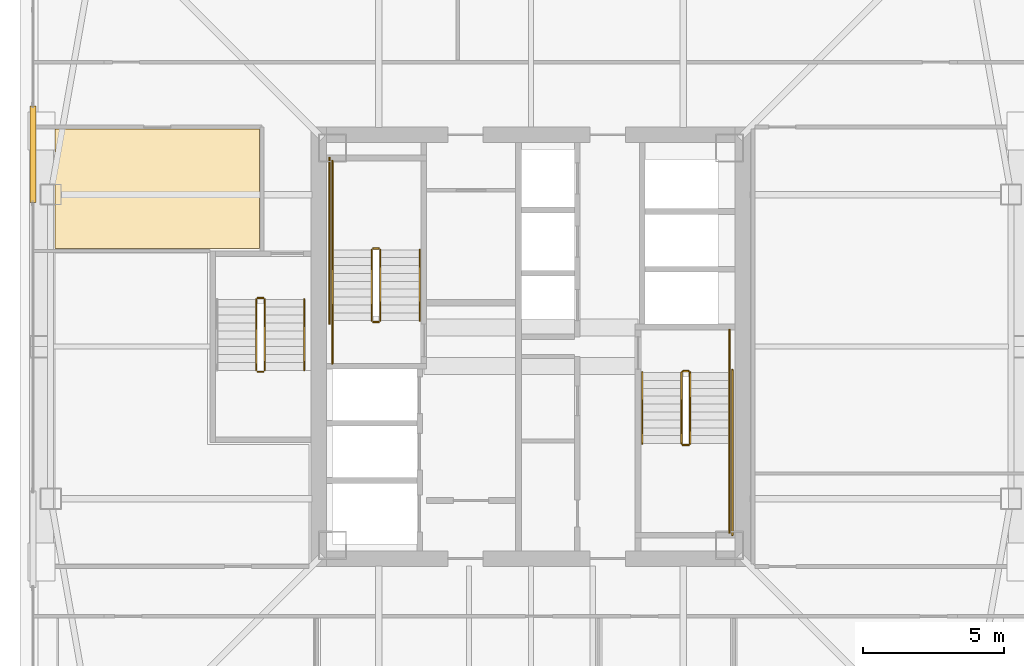
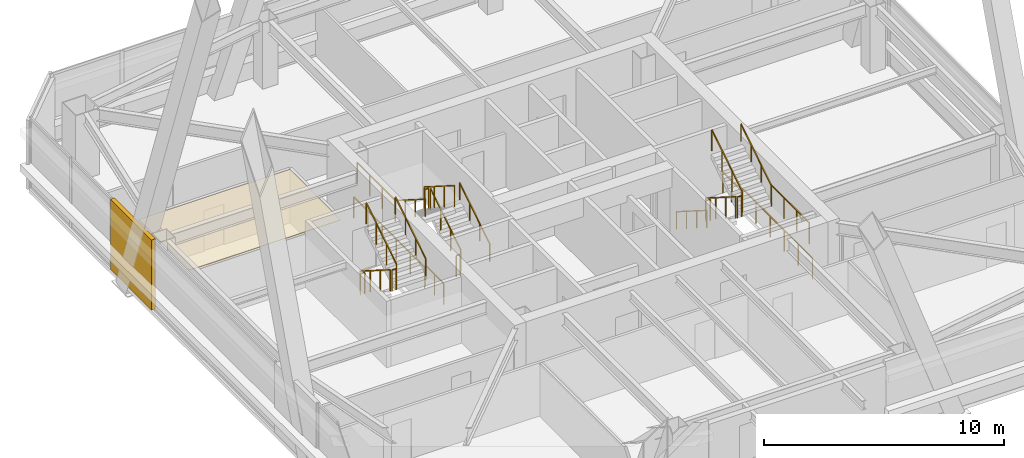
# One storey, part 51 of 55: 23 railings, 2 coverings.
"""IFC4 building model written with IfcOpenShell, lengths in metres."""

from ifc_helpers import new_model, si_unit, direction, frame, origin, origin_2d, place, context, subcontext, project, spatial, polyline, rectangle, outline, extrude, material, layer, layer_set, type_object, element, save


model = new_model("IFC4")

# Units and contexts
model_context = context("Model", 3, precision=1e-05, world=origin(), true_north=direction((0.0, 1.0)))
body_context = subcontext(model_context, "Body", "Model", "MODEL_VIEW")
ifc_project = project(units=[si_unit("LENGTHUNIT", "METRE"), si_unit("AREAUNIT", "SQUARE_METRE"), si_unit("VOLUMEUNIT", "CUBIC_METRE"), si_unit("PLANEANGLEUNIT", "RADIAN"), si_unit("MASSUNIT", "GRAM", prefix="KILO")], contexts=[model_context])

# Site, building, storey
site_placement = place(None, origin())
site = spatial("IfcSite", under=ifc_project, at=site_placement, CompositionType="ELEMENT")
building_placement = place(site_placement, origin())
building = spatial("IfcBuilding", under=site, at=building_placement, Name="Tashvorn Skyway Center", CompositionType="ELEMENT")
storey_placement = place(building_placement, frame((0.0, 0.0, 178.300048828125)))
storey = spatial("IfcBuildingStorey", under=building, at=storey_placement, Name="L48", CompositionType="ELEMENT", Elevation=178.300048828125)

# Coverings
ifc_material_1 = material(Name="Precast concrete C40/50", Category="concrete")
ifc_layer_1 = layer(ifc_material_1, 0.199951171875)
ifc_layer_set_1 = layer_set([ifc_layer_1], Name="Precast concrete C40/50")
covering_type_1 = type_object("IfcCoveringType", Name="COV-BRACE-CLAD", PredefinedType="CLADDING", material=ifc_layer_set_1)
covering_1_placement = place(storey_placement, frame((24.320068359375, 38.83544921875, 0.0), z_axis=(0.0, 0.0, 1.0), x_axis=(0.0, 1.0, 0.0)))
element("IfcCovering", 1, at=covering_1_placement, inside=storey, type_object=covering_type_1, Name="Tower 1 L48 West Unitised Curtain Wall Mega-Brace Cladding Band 2", PredefinedType="CLADDING", context=body_context, shape_type="SweptSolid", body=[
    extrude(rectangle(XDim=3.417724609375, YDim=0.199951171875, at=origin_2d()), origin(), (0.0, 0.0, 1.0), 3.550048828125),
])
ifc_material_2 = material(Name="Mineral-fibre acoustic ceiling tile on suspended grid")
ifc_layer_2 = layer(ifc_material_2, 0.02001953125)
ifc_layer_set_2 = layer_set([ifc_layer_2], Name="Mineral-fibre acoustic ceiling tile on suspended grid")
covering_type_2 = type_object("IfcCoveringType", Name="COV-CEIL-20", PredefinedType="CEILING", material=ifc_layer_set_2)
covering_2_placement = place(storey_placement, frame((0.0, 0.0, 2.702880859375)))
element("IfcCovering", 2, at=covering_2_placement, inside=storey, type_object=covering_type_2, Name="Tower 1 L48 Staff Fitness Club Acoustic Ceiling", PredefinedType="CEILING", context=body_context, shape_type="SweptSolid", body=[
    extrude(outline(polyline([(32.3701171875, 39.719970703125), (32.3701171875, 35.47998046875), (25.10009765625, 35.47998046875), (25.10009765625, 39.719970703125), (32.3701171875, 39.719970703125)])), origin(), (0.0, 0.0, 1.0), 0.02001953125),
])

# Railings
ifc_material_3 = material(Name="Brushed stainless steel 316", Category="steel")
railing_type_1 = type_object("IfcRailingType", Name="RAIL-HAND-920", PredefinedType="HANDRAIL", material=ifc_material_3)
railing_1_placement = place(storey_placement, frame((38.050048828125, 32.919921875, 0.177490234375)))
element("IfcRailing", 3, at=railing_1_placement, inside=storey, type_object=railing_type_1, Name="L48 ST-T1-1 stair handrail 1", PredefinedType="HANDRAIL", context=body_context, shape_type="SweptSolid", body=[
    extrude(rectangle(XDim=0.048095703125, YDim=0.048095703125, at=origin_2d()), frame((0.0, 0.0, 0.8759765625), z_axis=(0.0, 0.84460694969, 0.535386869969), x_axis=(-1.0, 0.0, 0.0)), (0.0, 0.0, 1.0), 2.983642578125),
    extrude(rectangle(XDim=0.0419921875, YDim=0.0419921875, at=origin_2d()), origin(), (0.0, 0.0, 1.0), 0.851806640625),
    extrude(rectangle(XDim=0.0419921875, YDim=0.0419921875, at=origin_2d()), frame((0.0, 0.840087890625, 0.532470703125)), (0.0, 0.0, 1.0), 0.851806640625),
    extrude(rectangle(XDim=0.0419921875, YDim=0.0419921875, at=origin_2d()), frame((0.0, 1.679931640625, 1.06494140625)), (0.0, 0.0, 1.0), 0.851806640625),
    extrude(rectangle(XDim=0.0419921875, YDim=0.0419921875, at=origin_2d()), frame((0.0, 2.52001953125, 1.597412109375)), (0.0, 0.0, 1.0), 0.851806640625),
])
railing_2_placement = place(storey_placement, frame((34.949951171875, 35.43994140625, 1.952392578125)))
element("IfcRailing", 4, at=railing_2_placement, inside=storey, type_object=railing_type_1, Name="L48 ST-T1-1 stair handrail 2", PredefinedType="HANDRAIL", context=body_context, shape_type="SweptSolid", body=[
    extrude(rectangle(XDim=0.048095703125, YDim=0.048095703125, at=origin_2d()), frame((0.0, 0.0, 0.8759765625), z_axis=(0.0, -0.84456994832, 0.535445237532), x_axis=(1.0, 0.0, 0.0)), (0.0, 0.0, 1.0), 2.98388671875),
    extrude(rectangle(XDim=0.0419921875, YDim=0.0419921875, at=origin_2d()), origin(), (0.0, 0.0, 1.0), 0.851806640625),
    extrude(rectangle(XDim=0.0419921875, YDim=0.0419921875, at=origin_2d()), frame((0.0, -0.840087890625, 0.532470703125)), (0.0, 0.0, 1.0), 0.851806640625),
    extrude(rectangle(XDim=0.0419921875, YDim=0.0419921875, at=origin_2d()), frame((0.0, -1.679931640625, 1.065185546875)), (0.0, 0.0, 1.0), 0.851806640625),
    extrude(rectangle(XDim=0.0419921875, YDim=0.0419921875, at=origin_2d()), frame((0.0, -2.52001953125, 1.59765625)), (0.0, 0.0, 1.0), 0.851806640625),
])
railing_3_placement = place(storey_placement, frame((45.949951171875, 31.080078125, 0.177490234375)))
element("IfcRailing", 5, at=railing_3_placement, inside=storey, type_object=railing_type_1, Name="L48 ST-T1-2 stair handrail 1", PredefinedType="HANDRAIL", context=body_context, shape_type="SweptSolid", body=[
    extrude(rectangle(XDim=0.048095703125, YDim=0.048095703125, at=origin_2d()), frame((0.0, 0.0, 0.8759765625), z_axis=(0.0, -0.84460694969, 0.535386869969), x_axis=(1.0, 0.0, 0.0)), (0.0, 0.0, 1.0), 2.983642578125),
    extrude(rectangle(XDim=0.0419921875, YDim=0.0419921875, at=origin_2d()), origin(), (0.0, 0.0, 1.0), 0.851806640625),
    extrude(rectangle(XDim=0.0419921875, YDim=0.0419921875, at=origin_2d()), frame((0.0, -0.840087890625, 0.532470703125)), (0.0, 0.0, 1.0), 0.851806640625),
    extrude(rectangle(XDim=0.0419921875, YDim=0.0419921875, at=origin_2d()), frame((0.0, -1.679931640625, 1.06494140625)), (0.0, 0.0, 1.0), 0.851806640625),
    extrude(rectangle(XDim=0.0419921875, YDim=0.0419921875, at=origin_2d()), frame((0.0, -2.52001953125, 1.597412109375)), (0.0, 0.0, 1.0), 0.851806640625),
])
for number, where, name in (
    (6, (49.050048828125, 28.56005859375, 1.952392578125), "L48 ST-T1-2 stair handrail 2"),
    (7, (33.949951171875, 31.159912109375, 1.952392578125), "L48 ST-T1-3 stair handrail 2"),
):
    element("IfcRailing", number, at=place(storey_placement, frame(where)), inside=storey, type_object=railing_type_1, Name=name, PredefinedType="HANDRAIL", context=body_context, shape_type="SweptSolid", body=[
        extrude(rectangle(XDim=0.048095703125, YDim=0.048095703125, at=origin_2d()), frame((0.0, 0.0, 0.8759765625), z_axis=(0.0, 0.84456994832, 0.535445237532), x_axis=(-1.0, 0.0, 0.0)), (0.0, 0.0, 1.0), 2.98388671875),
        extrude(rectangle(XDim=0.0419921875, YDim=0.0419921875, at=origin_2d()), origin(), (0.0, 0.0, 1.0), 0.851806640625),
        extrude(rectangle(XDim=0.0419921875, YDim=0.0419921875, at=origin_2d()), frame((0.0, 0.840087890625, 0.532470703125)), (0.0, 0.0, 1.0), 0.851806640625),
        extrude(rectangle(XDim=0.0419921875, YDim=0.0419921875, at=origin_2d()), frame((0.0, 1.679931640625, 1.065185546875)), (0.0, 0.0, 1.0), 0.851806640625),
        extrude(rectangle(XDim=0.0419921875, YDim=0.0419921875, at=origin_2d()), frame((0.0, 2.52001953125, 1.59765625)), (0.0, 0.0, 1.0), 0.851806640625),
    ])
ifc_material_4 = material(Name="Painted galvanized steel S355", Category="steel")
railing_type_2 = type_object("IfcRailingType", Name="RAIL-STGUARD-1100", PredefinedType="GUARDRAIL", material=ifc_material_4)
railing_4_placement = place(storey_placement, frame((36.64990234375, 32.919921875, 0.177490234375)))
element("IfcRailing", 8, at=railing_4_placement, inside=storey, type_object=railing_type_2, Name="L48 ST-T1-1 stair guard 1", PredefinedType="GUARDRAIL", context=body_context, shape_type="SweptSolid", body=[
    extrude(rectangle(XDim=0.048095703125, YDim=0.048095703125, at=origin_2d()), frame((0.0, 0.0, 1.076171875), z_axis=(0.0, 0.84460694969, 0.535386869969), x_axis=(-1.0, 0.0, 0.0)), (0.0, 0.0, 1.0), 2.983642578125),
    extrude(rectangle(XDim=0.0419921875, YDim=0.0419921875, at=origin_2d()), origin(), (0.0, 0.0, 1.0), 1.052001953125),
    extrude(rectangle(XDim=0.0419921875, YDim=0.0419921875, at=origin_2d()), frame((0.0, 0.840087890625, 0.532470703125)), (0.0, 0.0, 1.0), 1.052001953125),
    extrude(rectangle(XDim=0.0419921875, YDim=0.0419921875, at=origin_2d()), frame((0.0, 1.679931640625, 1.06494140625)), (0.0, 0.0, 1.0), 1.052001953125),
    extrude(rectangle(XDim=0.0419921875, YDim=0.0419921875, at=origin_2d()), frame((0.0, 2.52001953125, 1.597412109375)), (0.0, 0.0, 1.0), 1.052001953125),
])
railing_5_placement = place(storey_placement, frame((36.60009765625, 35.489990234375, 1.77490234375)))
element("IfcRailing", 9, at=railing_5_placement, inside=storey, type_object=railing_type_2, Name="L48 ST-T1-1 stair guard 2", PredefinedType="GUARDRAIL", context=body_context, shape_type="SweptSolid", body=[
    extrude(rectangle(XDim=0.048095703125, YDim=0.048095703125, at=origin_2d()), frame((0.0, 0.0, 1.076171875), z_axis=(-1.0, 0.0, 0.0), x_axis=(0.0, -1.0, 0.0)), (0.0, 0.0, 1.0), 0.2001953125),
    extrude(rectangle(XDim=0.0419921875, YDim=0.0419921875, at=origin_2d()), origin(), (0.0, 0.0, 1.0), 1.052001953125),
    extrude(rectangle(XDim=0.0419921875, YDim=0.0419921875, at=origin_2d()), frame((-0.2001953125, 0.0, 0.0)), (0.0, 0.0, 1.0), 1.052001953125),
])
railing_6_placement = place(storey_placement, frame((34.949951171875, 35.43994140625, 1.77490234375)))
element("IfcRailing", 10, at=railing_6_placement, inside=storey, type_object=railing_type_2, Name="L48 ST-T1-1 stair guard 3", PredefinedType="GUARDRAIL", context=body_context, shape_type="SweptSolid", body=[
    extrude(rectangle(XDim=0.048095703125, YDim=0.048095703125, at=origin_2d()), frame((0.0, 0.0, 1.076171875), z_axis=(0.0, 1.0, 0.0), x_axis=(-1.0, 0.0, 0.0)), (0.0, 0.0, 1.0), 3.16015625),
    extrude(rectangle(XDim=0.0419921875, YDim=0.0419921875, at=origin_2d()), origin(), (0.0, 0.0, 1.0), 1.052001953125),
    extrude(rectangle(XDim=0.0419921875, YDim=0.0419921875, at=origin_2d()), frame((0.0, 1.053466796875, 0.0)), (0.0, 0.0, 1.0), 1.052001953125),
    extrude(rectangle(XDim=0.0419921875, YDim=0.0419921875, at=origin_2d()), frame((0.0, 2.106689453125, 0.0)), (0.0, 0.0, 1.0), 1.052001953125),
    extrude(rectangle(XDim=0.0419921875, YDim=0.0419921875, at=origin_2d()), frame((0.0, 3.16015625, 0.0)), (0.0, 0.0, 1.0), 1.052001953125),
])
railing_7_placement = place(storey_placement, frame((36.35009765625, 35.43994140625, 1.952392578125)))
element("IfcRailing", 11, at=railing_7_placement, inside=storey, type_object=railing_type_2, Name="L48 ST-T1-1 stair guard 4", PredefinedType="GUARDRAIL", context=body_context, shape_type="SweptSolid", body=[
    extrude(rectangle(XDim=0.048095703125, YDim=0.048095703125, at=origin_2d()), frame((0.0, 0.0, 1.076171875), z_axis=(0.0, -0.84456994832, 0.535445237532), x_axis=(1.0, 0.0, 0.0)), (0.0, 0.0, 1.0), 2.98388671875),
    extrude(rectangle(XDim=0.0419921875, YDim=0.0419921875, at=origin_2d()), origin(), (0.0, 0.0, 1.0), 1.052001953125),
    extrude(rectangle(XDim=0.0419921875, YDim=0.0419921875, at=origin_2d()), frame((0.0, -0.840087890625, 0.532470703125)), (0.0, 0.0, 1.0), 1.052001953125),
    extrude(rectangle(XDim=0.0419921875, YDim=0.0419921875, at=origin_2d()), frame((0.0, -1.679931640625, 1.065185546875)), (0.0, 0.0, 1.0), 1.052001953125),
    extrude(rectangle(XDim=0.0419921875, YDim=0.0419921875, at=origin_2d()), frame((0.0, -2.52001953125, 1.59765625)), (0.0, 0.0, 1.0), 1.052001953125),
])
railing_8_placement = place(storey_placement, frame((36.60009765625, 32.8701171875, 0.0)))
element("IfcRailing", 12, at=railing_8_placement, inside=storey, type_object=railing_type_2, Name="L48 ST-T1-1 stair guard 5", PredefinedType="GUARDRAIL", context=body_context, shape_type="SweptSolid", body=[
    extrude(rectangle(XDim=0.048095703125, YDim=0.048095703125, at=origin_2d()), frame((0.0, 0.0, 1.076171875), z_axis=(-1.0, 0.0, 0.0), x_axis=(0.0, -1.0, 0.0)), (0.0, 0.0, 1.0), 0.2001953125),
    extrude(rectangle(XDim=0.0419921875, YDim=0.0419921875, at=origin_2d()), origin(), (0.0, 0.0, 1.0), 1.052001953125),
    extrude(rectangle(XDim=0.0419921875, YDim=0.0419921875, at=origin_2d()), frame((-0.2001953125, 0.0, 0.0)), (0.0, 0.0, 1.0), 1.052001953125),
])
railing_9_placement = place(storey_placement, frame((34.949951171875, 31.39990234375, 0.0)))
element("IfcRailing", 13, at=railing_9_placement, inside=storey, type_object=railing_type_2, Name="L48 ST-T1-1 stair guard 6", PredefinedType="GUARDRAIL", context=body_context, shape_type="SweptSolid", body=[
    extrude(rectangle(XDim=0.048095703125, YDim=0.048095703125, at=origin_2d()), frame((0.0, 0.0, 1.076171875), z_axis=(0.0, 1.0, 0.0), x_axis=(-1.0, 0.0, 0.0)), (0.0, 0.0, 1.0), 1.52001953125),
    extrude(rectangle(XDim=0.0419921875, YDim=0.0419921875, at=origin_2d()), origin(), (0.0, 0.0, 1.0), 1.052001953125),
    extrude(rectangle(XDim=0.0419921875, YDim=0.0419921875, at=origin_2d()), frame((0.0, 0.760009765625, 0.0)), (0.0, 0.0, 1.0), 1.052001953125),
    extrude(rectangle(XDim=0.0419921875, YDim=0.0419921875, at=origin_2d()), frame((0.0, 1.52001953125, 0.0)), (0.0, 0.0, 1.0), 1.052001953125),
])
railing_10_placement = place(storey_placement, frame((34.85009765625, 32.820068359375, 0.0)))
element("IfcRailing", 14, at=railing_10_placement, inside=storey, type_object=railing_type_2, Name="L48 ST-T1-1 stair guard 7", PredefinedType="GUARDRAIL", context=body_context, shape_type="SweptSolid", body=[
    extrude(rectangle(XDim=0.048095703125, YDim=0.048095703125, at=origin_2d()), frame((0.0, 0.0, 1.076171875), z_axis=(0.0, 1.0, 0.0), x_axis=(-1.0, 0.0, 0.0)), (0.0, 0.0, 1.0), 5.8798828125),
    extrude(rectangle(XDim=0.0419921875, YDim=0.0419921875, at=origin_2d()), origin(), (0.0, 0.0, 1.0), 1.052001953125),
    extrude(rectangle(XDim=0.0419921875, YDim=0.0419921875, at=origin_2d()), frame((0.0, 1.176025390625, 0.0)), (0.0, 0.0, 1.0), 1.052001953125),
    extrude(rectangle(XDim=0.0419921875, YDim=0.0419921875, at=origin_2d()), frame((0.0, 2.35205078125, 0.0)), (0.0, 0.0, 1.0), 1.052001953125),
    extrude(rectangle(XDim=0.0419921875, YDim=0.0419921875, at=origin_2d()), frame((0.0, 3.52783203125, 0.0)), (0.0, 0.0, 1.0), 1.052001953125),
    extrude(rectangle(XDim=0.0419921875, YDim=0.0419921875, at=origin_2d()), frame((0.0, 4.703857421875, 0.0)), (0.0, 0.0, 1.0), 1.052001953125),
    extrude(rectangle(XDim=0.0419921875, YDim=0.0419921875, at=origin_2d()), frame((0.0, 5.8798828125, 0.0)), (0.0, 0.0, 1.0), 1.052001953125),
])
railing_11_placement = place(storey_placement, frame((47.35009765625, 31.080078125, 0.177490234375)))
element("IfcRailing", 15, at=railing_11_placement, inside=storey, type_object=railing_type_2, Name="L48 ST-T1-2 stair guard 1", PredefinedType="GUARDRAIL", context=body_context, shape_type="SweptSolid", body=[
    extrude(rectangle(XDim=0.048095703125, YDim=0.048095703125, at=origin_2d()), frame((0.0, 0.0, 1.076171875), z_axis=(0.0, -0.84460694969, 0.535386869969), x_axis=(1.0, 0.0, 0.0)), (0.0, 0.0, 1.0), 2.983642578125),
    extrude(rectangle(XDim=0.0419921875, YDim=0.0419921875, at=origin_2d()), origin(), (0.0, 0.0, 1.0), 1.052001953125),
    extrude(rectangle(XDim=0.0419921875, YDim=0.0419921875, at=origin_2d()), frame((0.0, -0.840087890625, 0.532470703125)), (0.0, 0.0, 1.0), 1.052001953125),
    extrude(rectangle(XDim=0.0419921875, YDim=0.0419921875, at=origin_2d()), frame((0.0, -1.679931640625, 1.06494140625)), (0.0, 0.0, 1.0), 1.052001953125),
    extrude(rectangle(XDim=0.0419921875, YDim=0.0419921875, at=origin_2d()), frame((0.0, -2.52001953125, 1.597412109375)), (0.0, 0.0, 1.0), 1.052001953125),
])
railing_12_placement = place(storey_placement, frame((47.39990234375, 28.510009765625, 1.77490234375)))
element("IfcRailing", 16, at=railing_12_placement, inside=storey, type_object=railing_type_2, Name="L48 ST-T1-2 stair guard 2", PredefinedType="GUARDRAIL", context=body_context, shape_type="SweptSolid", body=[
    extrude(rectangle(XDim=0.048095703125, YDim=0.048095703125, at=origin_2d()), frame((0.0, 0.0, 1.076171875), z_axis=(1.0, 0.0, 0.0), x_axis=(0.0, 1.0, 0.0)), (0.0, 0.0, 1.0), 0.2001953125),
    extrude(rectangle(XDim=0.0419921875, YDim=0.0419921875, at=origin_2d()), origin(), (0.0, 0.0, 1.0), 1.052001953125),
    extrude(rectangle(XDim=0.0419921875, YDim=0.0419921875, at=origin_2d()), frame((0.2001953125, 0.0, 0.0)), (0.0, 0.0, 1.0), 1.052001953125),
])
railing_13_placement = place(storey_placement, frame((49.050048828125, 28.56005859375, 1.77490234375)))
element("IfcRailing", 17, at=railing_13_placement, inside=storey, type_object=railing_type_2, Name="L48 ST-T1-2 stair guard 3", PredefinedType="GUARDRAIL", context=body_context, shape_type="SweptSolid", body=[
    extrude(rectangle(XDim=0.048095703125, YDim=0.048095703125, at=origin_2d()), frame((0.0, 0.0, 1.076171875), z_axis=(0.0, -1.0, 0.0), x_axis=(1.0, 0.0, 0.0)), (0.0, 0.0, 1.0), 3.16015625),
    extrude(rectangle(XDim=0.0419921875, YDim=0.0419921875, at=origin_2d()), origin(), (0.0, 0.0, 1.0), 1.052001953125),
    extrude(rectangle(XDim=0.0419921875, YDim=0.0419921875, at=origin_2d()), frame((0.0, -1.053466796875, 0.0)), (0.0, 0.0, 1.0), 1.052001953125),
    extrude(rectangle(XDim=0.0419921875, YDim=0.0419921875, at=origin_2d()), frame((0.0, -2.106689453125, 0.0)), (0.0, 0.0, 1.0), 1.052001953125),
    extrude(rectangle(XDim=0.0419921875, YDim=0.0419921875, at=origin_2d()), frame((0.0, -3.16015625, 0.0)), (0.0, 0.0, 1.0), 1.052001953125),
])
railing_14_placement = place(storey_placement, frame((47.64990234375, 28.56005859375, 1.952392578125)))
element("IfcRailing", 18, at=railing_14_placement, inside=storey, type_object=railing_type_2, Name="L48 ST-T1-2 stair guard 4", PredefinedType="GUARDRAIL", context=body_context, shape_type="SweptSolid", body=[
    extrude(rectangle(XDim=0.048095703125, YDim=0.048095703125, at=origin_2d()), frame((0.0, 0.0, 1.076171875), z_axis=(0.0, 0.84456994832, 0.535445237532), x_axis=(-1.0, 0.0, 0.0)), (0.0, 0.0, 1.0), 2.98388671875),
    extrude(rectangle(XDim=0.0419921875, YDim=0.0419921875, at=origin_2d()), origin(), (0.0, 0.0, 1.0), 1.052001953125),
    extrude(rectangle(XDim=0.0419921875, YDim=0.0419921875, at=origin_2d()), frame((0.0, 0.840087890625, 0.532470703125)), (0.0, 0.0, 1.0), 1.052001953125),
    extrude(rectangle(XDim=0.0419921875, YDim=0.0419921875, at=origin_2d()), frame((0.0, 1.679931640625, 1.065185546875)), (0.0, 0.0, 1.0), 1.052001953125),
    extrude(rectangle(XDim=0.0419921875, YDim=0.0419921875, at=origin_2d()), frame((0.0, 2.52001953125, 1.59765625)), (0.0, 0.0, 1.0), 1.052001953125),
])
railing_15_placement = place(storey_placement, frame((47.39990234375, 31.1298828125, 0.0)))
element("IfcRailing", 19, at=railing_15_placement, inside=storey, type_object=railing_type_2, Name="L48 ST-T1-2 stair guard 5", PredefinedType="GUARDRAIL", context=body_context, shape_type="SweptSolid", body=[
    extrude(rectangle(XDim=0.048095703125, YDim=0.048095703125, at=origin_2d()), frame((0.0, 0.0, 1.076171875), z_axis=(1.0, 0.0, 0.0), x_axis=(0.0, 1.0, 0.0)), (0.0, 0.0, 1.0), 0.2001953125),
    extrude(rectangle(XDim=0.0419921875, YDim=0.0419921875, at=origin_2d()), origin(), (0.0, 0.0, 1.0), 1.052001953125),
    extrude(rectangle(XDim=0.0419921875, YDim=0.0419921875, at=origin_2d()), frame((0.2001953125, 0.0, 0.0)), (0.0, 0.0, 1.0), 1.052001953125),
])
railing_16_placement = place(storey_placement, frame((49.050048828125, 32.60009765625, 0.0)))
element("IfcRailing", 20, at=railing_16_placement, inside=storey, type_object=railing_type_2, Name="L48 ST-T1-2 stair guard 6", PredefinedType="GUARDRAIL", context=body_context, shape_type="SweptSolid", body=[
    extrude(rectangle(XDim=0.048095703125, YDim=0.048095703125, at=origin_2d()), frame((0.0, 0.0, 1.076171875), z_axis=(0.0, -1.0, 0.0), x_axis=(1.0, 0.0, 0.0)), (0.0, 0.0, 1.0), 1.52001953125),
    extrude(rectangle(XDim=0.0419921875, YDim=0.0419921875, at=origin_2d()), origin(), (0.0, 0.0, 1.0), 1.052001953125),
    extrude(rectangle(XDim=0.0419921875, YDim=0.0419921875, at=origin_2d()), frame((0.0, -0.760009765625, 0.0)), (0.0, 0.0, 1.0), 1.052001953125),
    extrude(rectangle(XDim=0.0419921875, YDim=0.0419921875, at=origin_2d()), frame((0.0, -1.52001953125, 0.0)), (0.0, 0.0, 1.0), 1.052001953125),
])
railing_17_placement = place(storey_placement, frame((49.14990234375, 31.179931640625, 0.0)))
element("IfcRailing", 21, at=railing_17_placement, inside=storey, type_object=railing_type_2, Name="L48 ST-T1-2 stair guard 7", PredefinedType="GUARDRAIL", context=body_context, shape_type="SweptSolid", body=[
    extrude(rectangle(XDim=0.048095703125, YDim=0.048095703125, at=origin_2d()), frame((0.0, 0.0, 1.076171875), z_axis=(0.0, -1.0, 0.0), x_axis=(1.0, 0.0, 0.0)), (0.0, 0.0, 1.0), 5.8798828125),
    extrude(rectangle(XDim=0.0419921875, YDim=0.0419921875, at=origin_2d()), origin(), (0.0, 0.0, 1.0), 1.052001953125),
    extrude(rectangle(XDim=0.0419921875, YDim=0.0419921875, at=origin_2d()), frame((0.0, -1.176025390625, 0.0)), (0.0, 0.0, 1.0), 1.052001953125),
    extrude(rectangle(XDim=0.0419921875, YDim=0.0419921875, at=origin_2d()), frame((0.0, -2.35205078125, 0.0)), (0.0, 0.0, 1.0), 1.052001953125),
    extrude(rectangle(XDim=0.0419921875, YDim=0.0419921875, at=origin_2d()), frame((0.0, -3.52783203125, 0.0)), (0.0, 0.0, 1.0), 1.052001953125),
    extrude(rectangle(XDim=0.0419921875, YDim=0.0419921875, at=origin_2d()), frame((0.0, -4.703857421875, 0.0)), (0.0, 0.0, 1.0), 1.052001953125),
    extrude(rectangle(XDim=0.0419921875, YDim=0.0419921875, at=origin_2d()), frame((0.0, -5.8798828125, 0.0)), (0.0, 0.0, 1.0), 1.052001953125),
])
railing_18_placement = place(storey_placement, frame((32.25, 33.679931640625, 0.177490234375)))
element("IfcRailing", 22, at=railing_18_placement, inside=storey, type_object=railing_type_2, Name="L48 ST-T1-3 stair guard 1", PredefinedType="GUARDRAIL", context=body_context, shape_type="SweptSolid", body=[
    extrude(rectangle(XDim=0.048095703125, YDim=0.048095703125, at=origin_2d()), frame((0.0, 0.0, 1.076171875), z_axis=(0.0, -0.84460694969, 0.535386869969), x_axis=(1.0, 0.0, 0.0)), (0.0, 0.0, 1.0), 2.983642578125),
    extrude(rectangle(XDim=0.0419921875, YDim=0.0419921875, at=origin_2d()), origin(), (0.0, 0.0, 1.0), 1.052001953125),
    extrude(rectangle(XDim=0.0419921875, YDim=0.0419921875, at=origin_2d()), frame((0.0, -0.840087890625, 0.532470703125)), (0.0, 0.0, 1.0), 1.052001953125),
    extrude(rectangle(XDim=0.0419921875, YDim=0.0419921875, at=origin_2d()), frame((0.0, -1.679931640625, 1.06494140625)), (0.0, 0.0, 1.0), 1.052001953125),
    extrude(rectangle(XDim=0.0419921875, YDim=0.0419921875, at=origin_2d()), frame((0.0, -2.52001953125, 1.597412109375)), (0.0, 0.0, 1.0), 1.052001953125),
])
railing_19_placement = place(storey_placement, frame((32.300048828125, 31.110107421875, 1.77490234375)))
element("IfcRailing", 23, at=railing_19_placement, inside=storey, type_object=railing_type_2, Name="L48 ST-T1-3 stair guard 2", PredefinedType="GUARDRAIL", context=body_context, shape_type="SweptSolid", body=[
    extrude(rectangle(XDim=0.048095703125, YDim=0.048095703125, at=origin_2d()), frame((0.0, 0.0, 1.076171875), z_axis=(1.0, 0.0, 0.0), x_axis=(0.0, 1.0, 0.0)), (0.0, 0.0, 1.0), 0.199951171875),
    extrude(rectangle(XDim=0.0419921875, YDim=0.0419921875, at=origin_2d()), origin(), (0.0, 0.0, 1.0), 1.052001953125),
    extrude(rectangle(XDim=0.0419921875, YDim=0.0419921875, at=origin_2d()), frame((0.199951171875, 0.0, 0.0)), (0.0, 0.0, 1.0), 1.052001953125),
])
railing_20_placement = place(storey_placement, frame((32.550048828125, 31.159912109375, 1.952392578125)))
element("IfcRailing", 24, at=railing_20_placement, inside=storey, type_object=railing_type_2, Name="L48 ST-T1-3 stair guard 3", PredefinedType="GUARDRAIL", context=body_context, shape_type="SweptSolid", body=[
    extrude(rectangle(XDim=0.048095703125, YDim=0.048095703125, at=origin_2d()), frame((0.0, 0.0, 1.076171875), z_axis=(0.0, 0.84456994832, 0.535445237532), x_axis=(-1.0, 0.0, 0.0)), (0.0, 0.0, 1.0), 2.98388671875),
    extrude(rectangle(XDim=0.0419921875, YDim=0.0419921875, at=origin_2d()), origin(), (0.0, 0.0, 1.0), 1.052001953125),
    extrude(rectangle(XDim=0.0419921875, YDim=0.0419921875, at=origin_2d()), frame((0.0, 0.840087890625, 0.532470703125)), (0.0, 0.0, 1.0), 1.052001953125),
    extrude(rectangle(XDim=0.0419921875, YDim=0.0419921875, at=origin_2d()), frame((0.0, 1.679931640625, 1.065185546875)), (0.0, 0.0, 1.0), 1.052001953125),
    extrude(rectangle(XDim=0.0419921875, YDim=0.0419921875, at=origin_2d()), frame((0.0, 2.52001953125, 1.59765625)), (0.0, 0.0, 1.0), 1.052001953125),
])
railing_21_placement = place(storey_placement, frame((32.300048828125, 33.72998046875, 0.0)))
element("IfcRailing", 25, at=railing_21_placement, inside=storey, type_object=railing_type_2, Name="L48 ST-T1-3 stair guard 4", PredefinedType="GUARDRAIL", context=body_context, shape_type="SweptSolid", body=[
    extrude(rectangle(XDim=0.048095703125, YDim=0.048095703125, at=origin_2d()), frame((0.0, 0.0, 1.076171875), z_axis=(1.0, 0.0, 0.0), x_axis=(0.0, 1.0, 0.0)), (0.0, 0.0, 1.0), 0.199951171875),
    extrude(rectangle(XDim=0.0419921875, YDim=0.0419921875, at=origin_2d()), origin(), (0.0, 0.0, 1.0), 1.052001953125),
    extrude(rectangle(XDim=0.0419921875, YDim=0.0419921875, at=origin_2d()), frame((0.199951171875, 0.0, 0.0)), (0.0, 0.0, 1.0), 1.052001953125),
])

save(model, "model.ifc")
